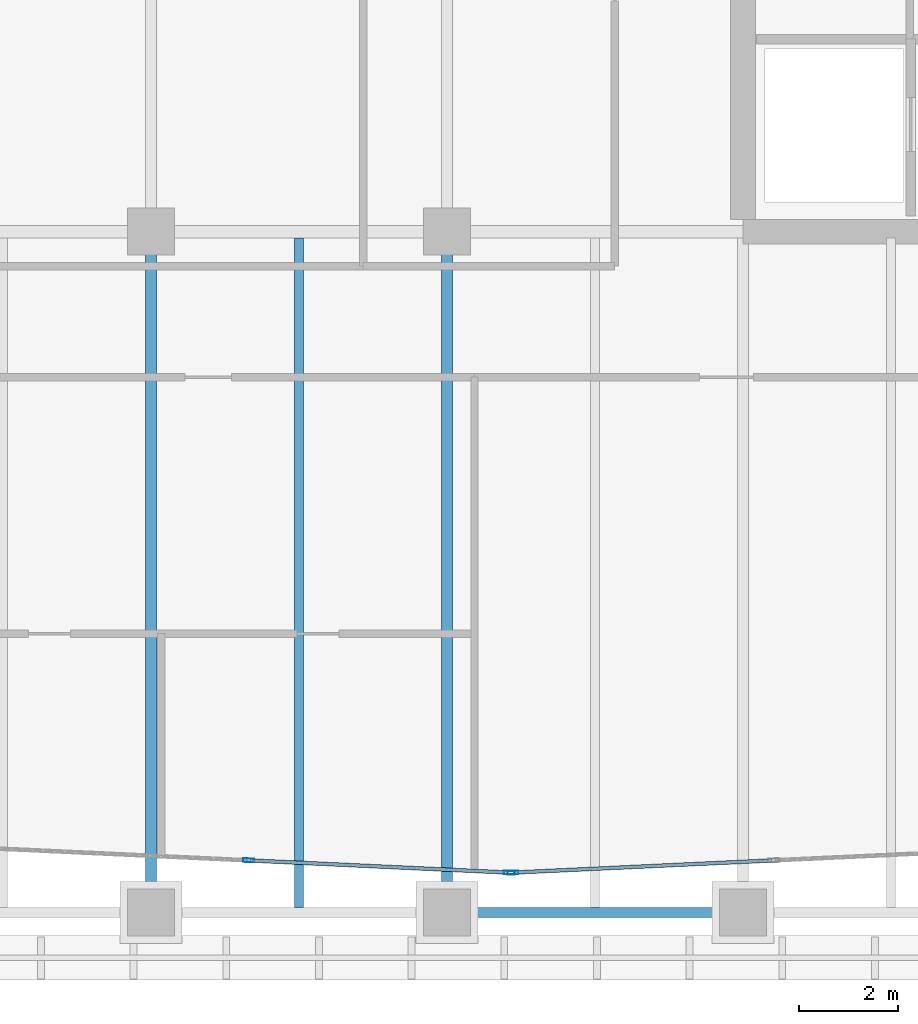
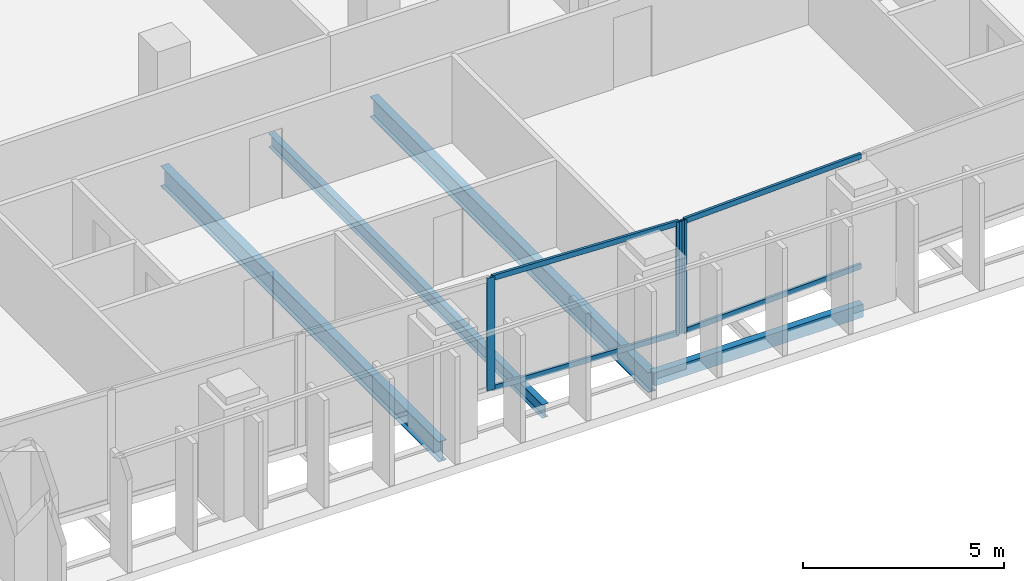
# One storey, part 9 of 39: 7 members, 4 beams, 2 elements without a shape of their own.
"""IFC4 building model written with IfcOpenShell, lengths in metres."""

from ifc_helpers import new_model, si_unit, direction, frame, origin, origin_2d, place, context, subcontext, project, spatial, hollow_rectangle, i_section, extrude, material, layer, layer_set, material_profile, profile_set, type_object, element, aggregate, save


model = new_model("IFC4")

# Units and contexts
model_context = context("Model", 3, precision=1e-05, world=origin(), true_north=direction((0.0, 1.0)))
body_context = subcontext(model_context, "Body", "Model", "MODEL_VIEW")
ifc_project = project(units=[si_unit("LENGTHUNIT", "METRE"), si_unit("AREAUNIT", "SQUARE_METRE"), si_unit("VOLUMEUNIT", "CUBIC_METRE"), si_unit("PLANEANGLEUNIT", "RADIAN"), si_unit("MASSUNIT", "GRAM", prefix="KILO")], contexts=[model_context])

# Site, building, storey
site_placement = place(None, origin())
site = spatial("IfcSite", under=ifc_project, at=site_placement, CompositionType="ELEMENT")
building_placement = place(site_placement, origin())
building = spatial("IfcBuilding", under=site, at=building_placement, Name="Tanjung Sevakor Pilgrim Tower", CompositionType="ELEMENT")
storey_placement = place(building_placement, frame((0.0, 0.0, 112.199951171875)))
storey = spatial("IfcBuildingStorey", under=building, at=storey_placement, Name="L31", CompositionType="ELEMENT", Elevation=112.199951171875)

# Beams
ifc_material_1 = material(Name="Steel S355J2", Category="steel")
ifc_material_profile_1 = material_profile(ifc_material_1, i_section(OverallWidth=0.230224609375, OverallDepth=0.6171875, WebThickness=0.01318359375, FlangeThickness=0.022216796875, FilletRadius=0.0126953125, at=origin_2d()))
ifc_profile_set_1 = profile_set([ifc_material_profile_1], Name="Steel S355J2")
beam_type_1 = type_object("IfcBeamType", Name="BM-B-G3-UB_610x229x140", PredefinedType="BEAM", material=ifc_profile_set_1)
for number, where, z_axis, x_axis, name in (
    (1, (66.0, 10.800048828125, -0.528564453125), (0.0, 1.0, 0.0), (-1.0, 0.0, 0.0), "L31 MAIN Girder 027"),
    (2, (72.0, 10.800048828125, -0.528564453125), (0.0, 1.0, 0.0), (-1.0, 0.0, 0.0), "L31 MAIN Girder 032"),
):
    element("IfcBeam", number, at=place(storey_placement, frame(where, z_axis=z_axis, x_axis=x_axis)), inside=storey, type_object=beam_type_1, Name=name, PredefinedType="BEAM", context=body_context, shape_type="SweptSolid", body=[
        extrude(i_section(OverallWidth=0.230224609375, OverallDepth=0.6171875, WebThickness=0.01318359375, FlangeThickness=0.022216796875, FilletRadius=0.0126953125, at=origin_2d()), origin(), (0.0, 0.0, 1.0), 13.800048828125),
    ])
ifc_material_2 = material(Name="Steel S355J2", Category="steel")
ifc_material_profile_2 = material_profile(ifc_material_2, i_section(OverallWidth=0.1787109375, OverallDepth=0.409423828125, WebThickness=0.0087890625, FlangeThickness=0.014404296875, FilletRadius=0.01025390625, at=origin_2d()))
ifc_profile_set_2 = profile_set([ifc_material_profile_2], Name="Steel S355J2")
beam_type_2 = type_object("IfcBeamType", Name="BM-B-J3-UB_406x178x67", PredefinedType="JOIST", material=ifc_profile_set_2)
beam_1_placement = place(storey_placement, frame((69.0, 10.89990234375, -0.424560546875), z_axis=(0.0, 1.0, 0.0), x_axis=(-1.0, 0.0, 0.0)))
element("IfcBeam", 3, at=beam_1_placement, inside=storey, type_object=beam_type_2, Name="L31 MAIN Joist 030", PredefinedType="JOIST", context=body_context, shape_type="SweptSolid", body=[
    extrude(i_section(OverallWidth=0.1787109375, OverallDepth=0.409423828125, WebThickness=0.0087890625, FlangeThickness=0.014404296875, FilletRadius=0.01025390625, at=origin_2d()), origin(), (0.0, 0.0, 1.0), 13.57275390625),
])
ifc_material_3 = material(Name="Steel S355J2", Category="steel")
ifc_material_profile_3 = material_profile(ifc_material_3, hollow_rectangle(XDim=0.199951171875, YDim=0.39990234375, WallThickness=0.01611328125, at=origin_2d()))
ifc_profile_set_3 = profile_set([ifc_material_profile_3], Name="Steel S355J2")
beam_type_3 = type_object("IfcBeamType", Name="BM-B-SP2-RHS_400x200x16", PredefinedType="SPANDREL", material=ifc_profile_set_3)
beam_2_placement = place(storey_placement, frame((72.0, 10.800048828125, -0.419921875), z_axis=(1.0, 0.0, 0.0), x_axis=(0.0, 1.0, 0.0)))
element("IfcBeam", 4, at=beam_2_placement, inside=storey, type_object=beam_type_3, Name="L31 Spandrel MAIN S-13", PredefinedType="SPANDREL", context=body_context, shape_type="SweptSolid", body=[
    extrude(hollow_rectangle(XDim=0.199951171875, YDim=0.39990234375, WallThickness=0.01611328125, at=origin_2d()), origin(), (0.0, 0.0, 1.0), 6.0),
])

# Curtain wall, members
ifc_material_4 = material(Name="Aluminium 6063-T6 and Low-E Glass", Category="aluminium")
ifc_layer = layer(ifc_material_4, 0.199951171875)
ifc_layer_set = layer_set([ifc_layer], Name="CW-SYS-PRAY")
curtain_wall_type = type_object("IfcCurtainWallType", Name="CW-SYS-PRAY", PredefinedType="NOTDEFINED", material=ifc_layer_set)
curtain_wall_1_placement = place(storey_placement, origin())
curtain_wall_1 = element("IfcCurtainWall", 5, at=curtain_wall_1_placement, inside=storey, type_object=curtain_wall_type, Name="L31 Curtain Wall CW-PRY-L31-10", PredefinedType="NOTDEFINED")
ifc_material_5 = material(Name="Aluminium 6063-T6", Category="aluminium")
ifc_material_profile_4 = material_profile(ifc_material_5, hollow_rectangle(XDim=0.074951171875, YDim=0.219970703125, WallThickness=0.0048828125, at=origin_2d()))
ifc_profile_set_4 = profile_set([ifc_material_profile_4], Name="Aluminium 6063-T6")
member_type_1 = type_object("IfcMemberType", Name="TYPE-CWM-2", PredefinedType="MULLION", material=ifc_profile_set_4)
member_1_placement = place(storey_placement, frame((67.97802734375, 11.85498046875, 0.0), z_axis=(0.0, 0.0, 1.0), x_axis=(0.046903911367, 0.998899405896, 0.0)))
member_1 = element("IfcMember", 6, at=member_1_placement, type_object=member_type_1, Name="CW-PRY mullion 2", PredefinedType="MULLION", context=body_context, shape_type="SweptSolid", body=[
    extrude(hollow_rectangle(XDim=0.074951171875, YDim=0.219970703125, WallThickness=0.0048828125, at=origin_2d()), origin(), (0.0, 0.0, 1.0), 3.41015625),
])
member_2_placement = place(storey_placement, frame((73.262451171875, 11.60693359375, 0.0), z_axis=(0.0, 0.0, 1.0), x_axis=(0.046903911367, 0.998899405896, 0.0)))
member_2 = element("IfcMember", 7, at=member_2_placement, type_object=member_type_1, Name="CW-PRY mullion 3", PredefinedType="MULLION", context=body_context, shape_type="SweptSolid", body=[
    extrude(hollow_rectangle(XDim=0.074951171875, YDim=0.219970703125, WallThickness=0.0048828125, at=origin_2d()), origin(), (0.0, 0.0, 1.0), 3.41015625),
])

# Curtain wall, member
curtain_wall_2_placement = place(storey_placement, origin())
curtain_wall_2 = element("IfcCurtainWall", 8, at=curtain_wall_2_placement, inside=storey, type_object=curtain_wall_type, Name="L31 Curtain Wall CW-PRY-L31-11", PredefinedType="NOTDEFINED")
member_3_placement = place(storey_placement, frame((73.33740234375, 11.60693359375, 0.0), z_axis=(0.0, 0.0, 1.0), x_axis=(-0.046903911367, 0.998899405896, 0.0)))
member_3 = element("IfcMember", 9, at=member_3_placement, type_object=member_type_1, Name="CW-PRY mullion 1", PredefinedType="MULLION", context=body_context, shape_type="SweptSolid", body=[
    extrude(hollow_rectangle(XDim=0.074951171875, YDim=0.219970703125, WallThickness=0.0048828125, at=origin_2d()), origin(), (0.0, 0.0, 1.0), 3.41015625),
])

# Member
ifc_material_6 = material(Name="Aluminium 6063-T6", Category="aluminium")
ifc_material_profile_5 = material_profile(ifc_material_6, hollow_rectangle(XDim=0.074951171875, YDim=0.159912109375, WallThickness=0.00439453125, at=origin_2d()))
ifc_profile_set_5 = profile_set([ifc_material_profile_5], Name="Aluminium 6063-T6")
member_type_2 = type_object("IfcMemberType", Name="TYPE-CWT-2", PredefinedType="USERDEFINED", material=ifc_profile_set_5)
member_4_placement = place(storey_placement, frame((68.015380859375, 11.853271484375, 0.03759765625), z_axis=(0.998899373751, -0.046904595928, 0.0), x_axis=(0.046904595928, 0.998899373751, 0.0)))
member_4 = element("IfcMember", 10, at=member_4_placement, type_object=member_type_2, Name="CW-PRY transom 2.1", ObjectType="TRANSOM", PredefinedType="USERDEFINED", context=body_context, shape_type="SweptSolid", body=[
    extrude(hollow_rectangle(XDim=0.074951171875, YDim=0.159912109375, WallThickness=0.00439453125, at=origin_2d()), origin(), (0.0, 0.0, 1.0), 5.215576171875),
])

member_5_placement = place(storey_placement, frame((68.015380859375, 11.853271484375, 3.37255859375), z_axis=(0.998899373751, -0.046904595928, 0.0), x_axis=(0.046904595928, 0.998899373751, 0.0)))
member_5 = element("IfcMember", 11, at=member_5_placement, type_object=member_type_2, Name="CW-PRY transom 2.2", ObjectType="TRANSOM", PredefinedType="USERDEFINED", context=body_context, shape_type="SweptSolid", body=[
    extrude(hollow_rectangle(XDim=0.074951171875, YDim=0.159912109375, WallThickness=0.00439453125, at=origin_2d()), origin(), (0.0, 0.0, 1.0), 5.215576171875),
])

aggregate(curtain_wall_1, [member_1, member_2, member_4, member_5])

member_6_placement = place(storey_placement, frame((73.375, 11.608642578125, 0.03759765625), z_axis=(0.998899270758, 0.046906789263, 0.0), x_axis=(-0.046906789263, 0.998899270758, 0.0)))
member_6 = element("IfcMember", 12, at=member_6_placement, type_object=member_type_2, Name="CW-PRY transom 1.1", ObjectType="TRANSOM", PredefinedType="USERDEFINED", context=body_context, shape_type="SweptSolid", body=[
    extrude(hollow_rectangle(XDim=0.074951171875, YDim=0.159912109375, WallThickness=0.00439453125, at=origin_2d()), origin(), (0.0, 0.0, 1.0), 5.21533203125),
])

member_7_placement = place(storey_placement, frame((73.375, 11.608642578125, 3.37255859375), z_axis=(0.998899270758, 0.046906789263, 0.0), x_axis=(-0.046906789263, 0.998899270758, 0.0)))
member_7 = element("IfcMember", 13, at=member_7_placement, type_object=member_type_2, Name="CW-PRY transom 1.2", ObjectType="TRANSOM", PredefinedType="USERDEFINED", context=body_context, shape_type="SweptSolid", body=[
    extrude(hollow_rectangle(XDim=0.074951171875, YDim=0.159912109375, WallThickness=0.00439453125, at=origin_2d()), origin(), (0.0, 0.0, 1.0), 5.21533203125),
])

aggregate(curtain_wall_2, [member_3, member_6, member_7])

save(model, "model.ifc")
